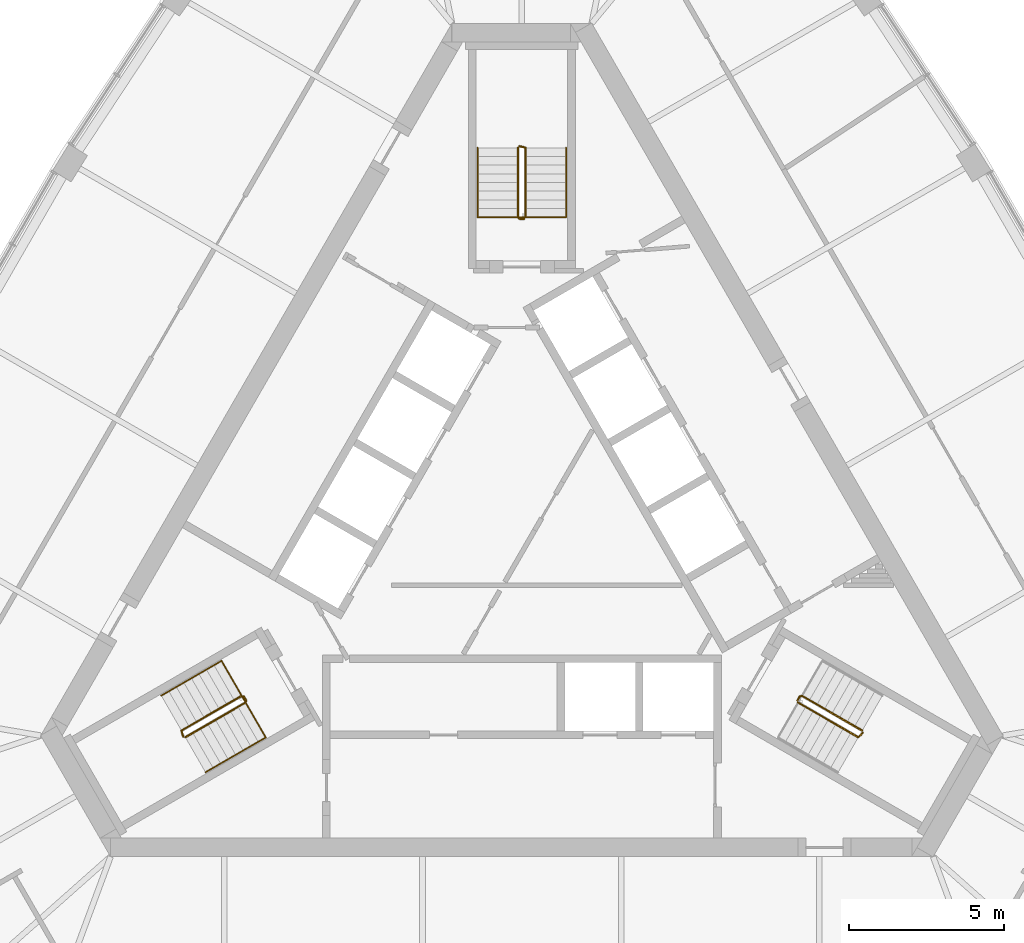
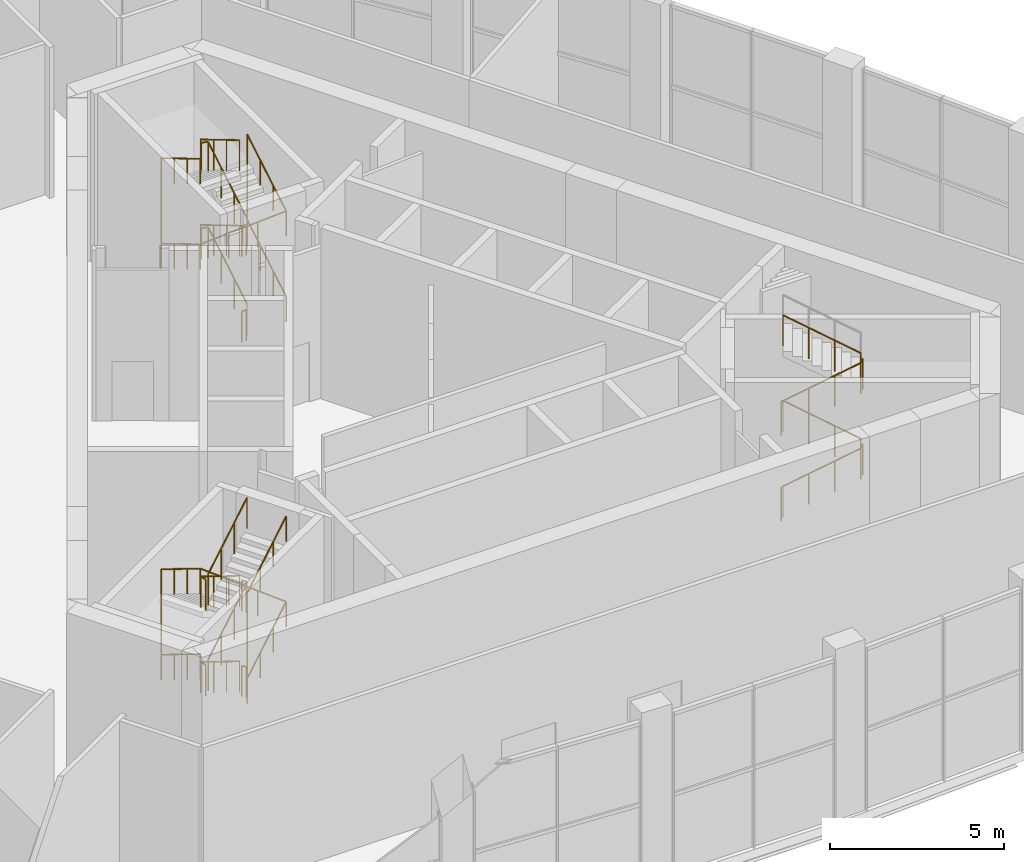
# One storey, part 14 of 15: 17 railings.
"""IFC4 building model written with IfcOpenShell, lengths in metres."""

from ifc_helpers import new_model, si_unit, direction, frame, origin, origin_2d, place, context, subcontext, project, spatial, circle, extrude, material, type_object, element, save


model = new_model("IFC4")

# Units and contexts
model_context = context("Model", 3, precision=1e-05, world=origin(), true_north=direction((0.0, 1.0)))
body_context = subcontext(model_context, "Body", "Model", "MODEL_VIEW")
ifc_project = project(units=[si_unit("LENGTHUNIT", "METRE"), si_unit("AREAUNIT", "SQUARE_METRE"), si_unit("VOLUMEUNIT", "CUBIC_METRE"), si_unit("PLANEANGLEUNIT", "RADIAN"), si_unit("MASSUNIT", "GRAM", prefix="KILO")], contexts=[model_context])

# Site, building, storey
site_placement = place(None, origin())
site = spatial("IfcSite", under=ifc_project, at=site_placement, CompositionType="ELEMENT")
building_placement = place(site_placement, origin())
building = spatial("IfcBuilding", under=site, at=building_placement, Name="Mestral Congress Tower", CompositionType="ELEMENT")
storey_placement = place(building_placement, frame((0.0, 0.0, 321.60009765625)))
storey = spatial("IfcBuildingStorey", under=building, at=storey_placement, Name="L75", CompositionType="ELEMENT", Elevation=321.60009765625)

# Railings
ifc_material_1 = material(Name="Steel balustrade", Category="steel")
railing_type_1 = type_object("IfcRailingType", Name="Stair guard 1100", PredefinedType="GUARDRAIL", material=ifc_material_1)
railing_1_placement = place(storey_placement, frame((8.90087890625, -5.283203125, 0.16650390625)))
element("IfcRailing", 1, at=railing_1_placement, inside=storey, type_object=railing_type_1, Name="L75 ST1 stair guard 1", PredefinedType="GUARDRAIL", context=body_context, shape_type="SweptSolid", body=[
    extrude(circle(Radius=0.02392578125, at=origin_2d()), frame((0.0, 0.0, 1.076171875), z_axis=(0.744138947067, -0.429663917587, 0.511513582794), x_axis=(0.500030632641, 0.866007717299, 0.0)), (0.0, 0.0, 1.0), 2.60693359375),
    extrude(circle(Radius=0.02392578125, at=origin_2d()), frame((1.93994140625, -1.1201171875, 2.40966796875), z_axis=(0.695164929852, 0.718850276695, 0.0), x_axis=(-0.718850276695, 0.695164929852, 0.0)), (0.0, 0.0, 1.0), 0.2060546875),
    extrude(circle(Radius=0.02099609375, at=origin_2d()), origin(), (0.0, 0.0, 1.0), 1.052001953125),
    extrude(circle(Radius=0.02099609375, at=origin_2d()), frame((0.646728515625, -0.373291015625, 0.444580078125)), (0.0, 0.0, 1.0), 1.052001953125),
    extrude(circle(Radius=0.02099609375, at=origin_2d()), frame((1.293212890625, -0.746826171875, 0.888916015625)), (0.0, 0.0, 1.0), 1.052001953125),
    extrude(circle(Radius=0.02099609375, at=origin_2d()), frame((1.93994140625, -1.1201171875, 1.33349609375)), (0.0, 0.0, 1.0), 1.052001953125),
    extrude(circle(Radius=0.02099609375, at=origin_2d()), frame((2.083251953125, -0.971923828125, 1.33349609375)), (0.0, 0.0, 1.0), 1.052001953125),
])
railing_2_placement = place(storey_placement, frame((10.9658203125, -6.186767578125, 1.66650390625)))
element("IfcRailing", 2, at=railing_2_placement, inside=storey, type_object=railing_type_1, Name="L75 ST1 stair guard 2", PredefinedType="GUARDRAIL", context=body_context, shape_type="SweptSolid", body=[
    extrude(circle(Radius=0.02392578125, at=origin_2d()), frame((0.0, 0.0, 1.076171875), z_axis=(-0.744138947067, 0.429663917587, 0.511513582794), x_axis=(-0.500030632641, -0.866007717299, 0.0)), (0.0, 0.0, 1.0), 2.60693359375),
    extrude(circle(Radius=0.02392578125, at=origin_2d()), frame((-1.93994140625, 1.1201171875, 2.40966796875), z_axis=(-0.965948051503, -0.258736085224, 0.0), x_axis=(0.258736085224, -0.965948051503, 0.0)), (0.0, 0.0, 1.0), 0.07080078125),
    extrude(circle(Radius=0.02392578125, at=origin_2d()), frame((-2.00830078125, 1.101806640625, 2.40966796875), z_axis=(-0.499816412211, -0.866131372301, 0.0), x_axis=(0.866131372301, -0.499816412211, 0.0)), (0.0, 0.0, 1.0), 0.14990234375),
    extrude(circle(Radius=0.02099609375, at=origin_2d()), origin(), (0.0, 0.0, 1.0), 1.052001953125),
    extrude(circle(Radius=0.02099609375, at=origin_2d()), frame((-0.646728515625, 0.373291015625, 0.444580078125)), (0.0, 0.0, 1.0), 1.052001953125),
    extrude(circle(Radius=0.02099609375, at=origin_2d()), frame((-1.293212890625, 0.746826171875, 0.888916015625)), (0.0, 0.0, 1.0), 1.052001953125),
    extrude(circle(Radius=0.02099609375, at=origin_2d()), frame((-1.93994140625, 1.1201171875, 1.33349609375)), (0.0, 0.0, 1.0), 1.052001953125),
    extrude(circle(Radius=0.02099609375, at=origin_2d()), frame((-2.00830078125, 1.101806640625, 1.33349609375)), (0.0, 0.0, 1.0), 1.052001953125),
    extrude(circle(Radius=0.02099609375, at=origin_2d()), frame((-2.083251953125, 0.971923828125, 1.33349609375)), (0.0, 0.0, 1.0), 1.052001953125),
])
railing_3_placement = place(storey_placement, frame((8.90087890625, -5.283203125, 3.16650390625)))
element("IfcRailing", 3, at=railing_3_placement, inside=storey, type_object=railing_type_1, Name="L75 ST1 stair guard 3", PredefinedType="GUARDRAIL", context=body_context, shape_type="SweptSolid", body=[
    extrude(circle(Radius=0.02392578125, at=origin_2d()), frame((0.0, 0.0, 1.076171875), z_axis=(0.744138947067, -0.429663917587, 0.511513582794), x_axis=(0.500030632641, 0.866007717299, 0.0)), (0.0, 0.0, 1.0), 2.60693359375),
    extrude(circle(Radius=0.02392578125, at=origin_2d()), frame((1.93994140625, -1.1201171875, 2.40966796875), z_axis=(0.695164929852, 0.718850276695, 0.0), x_axis=(-0.718850276695, 0.695164929852, 0.0)), (0.0, 0.0, 1.0), 0.2060546875),
    extrude(circle(Radius=0.02099609375, at=origin_2d()), origin(), (0.0, 0.0, 1.0), 1.052001953125),
    extrude(circle(Radius=0.02099609375, at=origin_2d()), frame((0.646728515625, -0.373291015625, 0.444580078125)), (0.0, 0.0, 1.0), 1.052001953125),
    extrude(circle(Radius=0.02099609375, at=origin_2d()), frame((1.293212890625, -0.746826171875, 0.888916015625)), (0.0, 0.0, 1.0), 1.052001953125),
    extrude(circle(Radius=0.02099609375, at=origin_2d()), frame((1.93994140625, -1.1201171875, 1.33349609375)), (0.0, 0.0, 1.0), 1.052001953125),
    extrude(circle(Radius=0.02099609375, at=origin_2d()), frame((2.083251953125, -0.971923828125, 1.33349609375)), (0.0, 0.0, 1.0), 1.052001953125),
])
railing_4_placement = place(storey_placement, frame((10.9658203125, -6.186767578125, 4.66650390625)))
element("IfcRailing", 4, at=railing_4_placement, inside=storey, type_object=railing_type_1, Name="L75 ST1 stair guard 4", PredefinedType="GUARDRAIL", context=body_context, shape_type="SweptSolid", body=[
    extrude(circle(Radius=0.02392578125, at=origin_2d()), frame((0.0, 0.0, 1.076171875), z_axis=(-0.744138947067, 0.429663917587, 0.511513582794), x_axis=(-0.500030632641, -0.866007717299, 0.0)), (0.0, 0.0, 1.0), 2.60693359375),
    extrude(circle(Radius=0.02099609375, at=origin_2d()), origin(), (0.0, 0.0, 1.0), 1.052001953125),
    extrude(circle(Radius=0.02099609375, at=origin_2d()), frame((-0.646728515625, 0.373291015625, 0.444580078125)), (0.0, 0.0, 1.0), 1.052001953125),
    extrude(circle(Radius=0.02099609375, at=origin_2d()), frame((-1.293212890625, 0.746826171875, 0.888916015625)), (0.0, 0.0, 1.0), 1.052001953125),
    extrude(circle(Radius=0.02099609375, at=origin_2d()), frame((-1.93994140625, 1.1201171875, 1.33349609375)), (0.0, 0.0, 1.0), 1.052001953125),
])
railing_5_placement = place(storey_placement, frame((8.882568359375, -5.21484375, 0.0)))
element("IfcRailing", 5, at=railing_5_placement, inside=storey, type_object=railing_type_1, Name="L75 ST1 stair guard 5", PredefinedType="GUARDRAIL", context=body_context, shape_type="SweptSolid", body=[
    extrude(circle(Radius=0.02392578125, at=origin_2d()), frame((0.0, 0.0, 1.076171875), z_axis=(0.499816412211, 0.866131372301, 0.0), x_axis=(-0.866131372301, 0.499816412211, 0.0)), (0.0, 0.0, 1.0), 0.14990234375),
    extrude(circle(Radius=0.02099609375, at=origin_2d()), origin(), (0.0, 0.0, 1.0), 1.052001953125),
    extrude(circle(Radius=0.02099609375, at=origin_2d()), frame((0.074951171875, 0.1298828125, 0.0)), (0.0, 0.0, 1.0), 1.052001953125),
])
railing_6_placement = place(storey_placement, frame((0.125, 10.35009765625, 0.16650390625)))
element("IfcRailing", 6, at=railing_6_placement, inside=storey, type_object=railing_type_1, Name="L75 ST2 stair guard 1", PredefinedType="GUARDRAIL", context=body_context, shape_type="SweptSolid", body=[
    extrude(circle(Radius=0.02392578125, at=origin_2d()), frame((0.0, 0.0, 1.076171875), z_axis=(0.0, 0.859264461869, 0.511531606619), x_axis=(-1.0, 0.0, 0.0)), (0.0, 0.0, 1.0), 2.60693359375),
    extrude(circle(Radius=0.02392578125, at=origin_2d()), frame((0.0, 2.239990234375, 2.40966796875), z_axis=(-0.970351222016, 0.241699205484, 0.0), x_axis=(-0.241699205484, -0.970351222016, 0.0)), (0.0, 0.0, 1.0), 0.2060546875),
    extrude(circle(Radius=0.02099609375, at=origin_2d()), origin(), (0.0, 0.0, 1.0), 1.052001953125),
    extrude(circle(Radius=0.02099609375, at=origin_2d()), frame((0.0, 0.74658203125, 0.444580078125)), (0.0, 0.0, 1.0), 1.052001953125),
    extrude(circle(Radius=0.02099609375, at=origin_2d()), frame((0.0, 1.493408203125, 0.888916015625)), (0.0, 0.0, 1.0), 1.052001953125),
    extrude(circle(Radius=0.02099609375, at=origin_2d()), frame((0.0, 2.239990234375, 1.33349609375)), (0.0, 0.0, 1.0), 1.052001953125),
    extrude(circle(Radius=0.02099609375, at=origin_2d()), frame((-0.199951171875, 2.289794921875, 1.33349609375)), (0.0, 0.0, 1.0), 1.052001953125),
])
railing_7_placement = place(storey_placement, frame((-0.125, 12.590087890625, 1.66650390625)))
element("IfcRailing", 7, at=railing_7_placement, inside=storey, type_object=railing_type_1, Name="L75 ST2 stair guard 2", PredefinedType="GUARDRAIL", context=body_context, shape_type="SweptSolid", body=[
    extrude(circle(Radius=0.02392578125, at=origin_2d()), frame((0.0, 0.0, 1.076171875), z_axis=(0.0, -0.859264461869, 0.511531606619), x_axis=(1.0, 0.0, 0.0)), (0.0, 0.0, 1.0), 2.60693359375),
    extrude(circle(Radius=0.02392578125, at=origin_2d()), frame((0.0, -2.239990234375, 2.40966796875), z_axis=(0.707106781187, -0.707106781187, 0.0), x_axis=(0.707106781187, 0.707106781187, 0.0)), (0.0, 0.0, 1.0), 0.07080078125),
    extrude(circle(Radius=0.02392578125, at=origin_2d()), frame((0.050048828125, -2.2900390625, 2.40966796875), z_axis=(1.0, 0.0, 0.0), x_axis=(0.0, 1.0, 0.0)), (0.0, 0.0, 1.0), 0.14990234375),
    extrude(circle(Radius=0.02099609375, at=origin_2d()), origin(), (0.0, 0.0, 1.0), 1.052001953125),
    extrude(circle(Radius=0.02099609375, at=origin_2d()), frame((0.0, -0.74658203125, 0.444580078125)), (0.0, 0.0, 1.0), 1.052001953125),
    extrude(circle(Radius=0.02099609375, at=origin_2d()), frame((0.0, -1.493408203125, 0.888916015625)), (0.0, 0.0, 1.0), 1.052001953125),
    extrude(circle(Radius=0.02099609375, at=origin_2d()), frame((0.0, -2.239990234375, 1.33349609375)), (0.0, 0.0, 1.0), 1.052001953125),
    extrude(circle(Radius=0.02099609375, at=origin_2d()), frame((0.050048828125, -2.2900390625, 1.33349609375)), (0.0, 0.0, 1.0), 1.052001953125),
    extrude(circle(Radius=0.02099609375, at=origin_2d()), frame((0.199951171875, -2.2900390625, 1.33349609375)), (0.0, 0.0, 1.0), 1.052001953125),
])
railing_8_placement = place(storey_placement, frame((0.125, 10.35009765625, 3.16650390625)))
element("IfcRailing", 8, at=railing_8_placement, inside=storey, type_object=railing_type_1, Name="L75 ST2 stair guard 3", PredefinedType="GUARDRAIL", context=body_context, shape_type="SweptSolid", body=[
    extrude(circle(Radius=0.02392578125, at=origin_2d()), frame((0.0, 0.0, 1.076171875), z_axis=(0.0, 0.859264461869, 0.511531606619), x_axis=(-1.0, 0.0, 0.0)), (0.0, 0.0, 1.0), 2.60693359375),
    extrude(circle(Radius=0.02392578125, at=origin_2d()), frame((0.0, 2.239990234375, 2.40966796875), z_axis=(-0.970351222016, 0.241699205484, 0.0), x_axis=(-0.241699205484, -0.970351222016, 0.0)), (0.0, 0.0, 1.0), 0.2060546875),
    extrude(circle(Radius=0.02099609375, at=origin_2d()), origin(), (0.0, 0.0, 1.0), 1.052001953125),
    extrude(circle(Radius=0.02099609375, at=origin_2d()), frame((0.0, 0.74658203125, 0.444580078125)), (0.0, 0.0, 1.0), 1.052001953125),
    extrude(circle(Radius=0.02099609375, at=origin_2d()), frame((0.0, 1.493408203125, 0.888916015625)), (0.0, 0.0, 1.0), 1.052001953125),
    extrude(circle(Radius=0.02099609375, at=origin_2d()), frame((0.0, 2.239990234375, 1.33349609375)), (0.0, 0.0, 1.0), 1.052001953125),
    extrude(circle(Radius=0.02099609375, at=origin_2d()), frame((-0.199951171875, 2.289794921875, 1.33349609375)), (0.0, 0.0, 1.0), 1.052001953125),
])
railing_9_placement = place(storey_placement, frame((-0.125, 12.590087890625, 4.66650390625)))
element("IfcRailing", 9, at=railing_9_placement, inside=storey, type_object=railing_type_1, Name="L75 ST2 stair guard 4", PredefinedType="GUARDRAIL", context=body_context, shape_type="SweptSolid", body=[
    extrude(circle(Radius=0.02392578125, at=origin_2d()), frame((0.0, 0.0, 1.076171875), z_axis=(0.0, -0.859264461869, 0.511531606619), x_axis=(1.0, 0.0, 0.0)), (0.0, 0.0, 1.0), 2.60693359375),
    extrude(circle(Radius=0.02099609375, at=origin_2d()), origin(), (0.0, 0.0, 1.0), 1.052001953125),
    extrude(circle(Radius=0.02099609375, at=origin_2d()), frame((0.0, -0.74658203125, 0.444580078125)), (0.0, 0.0, 1.0), 1.052001953125),
    extrude(circle(Radius=0.02099609375, at=origin_2d()), frame((0.0, -1.493408203125, 0.888916015625)), (0.0, 0.0, 1.0), 1.052001953125),
    extrude(circle(Radius=0.02099609375, at=origin_2d()), frame((0.0, -2.239990234375, 1.33349609375)), (0.0, 0.0, 1.0), 1.052001953125),
])
railing_10_placement = place(storey_placement, frame((0.074951171875, 10.300048828125, 0.0)))
element("IfcRailing", 10, at=railing_10_placement, inside=storey, type_object=railing_type_1, Name="L75 ST2 stair guard 5", PredefinedType="GUARDRAIL", context=body_context, shape_type="SweptSolid", body=[
    extrude(circle(Radius=0.02392578125, at=origin_2d()), frame((0.0, 0.0, 1.076171875), z_axis=(-1.0, 0.0, 0.0), x_axis=(0.0, -1.0, 0.0)), (0.0, 0.0, 1.0), 0.14990234375),
    extrude(circle(Radius=0.02099609375, at=origin_2d()), origin(), (0.0, 0.0, 1.0), 1.052001953125),
    extrude(circle(Radius=0.02099609375, at=origin_2d()), frame((-0.14990234375, 0.0, 0.0)), (0.0, 0.0, 1.0), 1.052001953125),
])
railing_11_placement = place(storey_placement, frame((-9.02587890625, -5.066650390625, 0.16650390625)))
element("IfcRailing", 11, at=railing_11_placement, inside=storey, type_object=railing_type_1, Name="L75 ST3 stair guard 1", PredefinedType="GUARDRAIL", context=body_context, shape_type="SweptSolid", body=[
    extrude(circle(Radius=0.02392578125, at=origin_2d()), frame((0.0, 0.0, 1.076171875), z_axis=(-0.744138947067, -0.429663917587, 0.511513582794), x_axis=(0.500030632641, -0.866007717299, 0.0)), (0.0, 0.0, 1.0), 2.60693359375),
    extrude(circle(Radius=0.02392578125, at=origin_2d()), frame((-1.93994140625, -1.1201171875, 2.40966796875), z_axis=(0.274721127897, -0.961523947641, 0.0), x_axis=(0.961523947641, 0.274721127897, 0.0)), (0.0, 0.0, 1.0), 0.2060546875),
    extrude(circle(Radius=0.02099609375, at=origin_2d()), origin(), (0.0, 0.0, 1.0), 1.052001953125),
    extrude(circle(Radius=0.02099609375, at=origin_2d()), frame((-0.646728515625, -0.373291015625, 0.444580078125)), (0.0, 0.0, 1.0), 1.052001953125),
    extrude(circle(Radius=0.02099609375, at=origin_2d()), frame((-1.293212890625, -0.746826171875, 0.888916015625)), (0.0, 0.0, 1.0), 1.052001953125),
    extrude(circle(Radius=0.02099609375, at=origin_2d()), frame((-1.93994140625, -1.1201171875, 1.33349609375)), (0.0, 0.0, 1.0), 1.052001953125),
    extrude(circle(Radius=0.02099609375, at=origin_2d()), frame((-1.88330078125, -1.318359375, 1.33349609375)), (0.0, 0.0, 1.0), 1.052001953125),
])
railing_12_placement = place(storey_placement, frame((-10.8408203125, -6.4033203125, 1.66650390625)))
element("IfcRailing", 12, at=railing_12_placement, inside=storey, type_object=railing_type_1, Name="L75 ST3 stair guard 2", PredefinedType="GUARDRAIL", context=body_context, shape_type="SweptSolid", body=[
    extrude(circle(Radius=0.02392578125, at=origin_2d()), frame((0.0, 0.0, 1.076171875), z_axis=(0.744138947067, 0.429663917587, 0.511513582794), x_axis=(-0.500030632641, 0.866007717299, 0.0)), (0.0, 0.0, 1.0), 2.60693359375),
    extrude(circle(Radius=0.02392578125, at=origin_2d()), frame((1.93994140625, 1.1201171875, 2.40966796875), z_axis=(0.258736085224, 0.965948051503, 0.0), x_axis=(-0.965948051503, 0.258736085224, 0.0)), (0.0, 0.0, 1.0), 0.07080078125),
    extrude(circle(Radius=0.02392578125, at=origin_2d()), frame((1.958251953125, 1.1884765625, 2.40966796875), z_axis=(-0.499816412211, 0.866131372301, 0.0), x_axis=(-0.866131372301, -0.499816412211, 0.0)), (0.0, 0.0, 1.0), 0.14990234375),
    extrude(circle(Radius=0.02099609375, at=origin_2d()), origin(), (0.0, 0.0, 1.0), 1.052001953125),
    extrude(circle(Radius=0.02099609375, at=origin_2d()), frame((0.646728515625, 0.373291015625, 0.444580078125)), (0.0, 0.0, 1.0), 1.052001953125),
    extrude(circle(Radius=0.02099609375, at=origin_2d()), frame((1.293212890625, 0.746826171875, 0.888916015625)), (0.0, 0.0, 1.0), 1.052001953125),
    extrude(circle(Radius=0.02099609375, at=origin_2d()), frame((1.93994140625, 1.1201171875, 1.33349609375)), (0.0, 0.0, 1.0), 1.052001953125),
    extrude(circle(Radius=0.02099609375, at=origin_2d()), frame((1.958251953125, 1.1884765625, 1.33349609375)), (0.0, 0.0, 1.0), 1.052001953125),
    extrude(circle(Radius=0.02099609375, at=origin_2d()), frame((1.88330078125, 1.318359375, 1.33349609375)), (0.0, 0.0, 1.0), 1.052001953125),
])
railing_13_placement = place(storey_placement, frame((-9.02587890625, -5.066650390625, 3.16650390625)))
element("IfcRailing", 13, at=railing_13_placement, inside=storey, type_object=railing_type_1, Name="L75 ST3 stair guard 3", PredefinedType="GUARDRAIL", context=body_context, shape_type="SweptSolid", body=[
    extrude(circle(Radius=0.02392578125, at=origin_2d()), frame((0.0, 0.0, 1.076171875), z_axis=(-0.744138947067, -0.429663917587, 0.511513582794), x_axis=(0.500030632641, -0.866007717299, 0.0)), (0.0, 0.0, 1.0), 2.60693359375),
    extrude(circle(Radius=0.02392578125, at=origin_2d()), frame((-1.93994140625, -1.1201171875, 2.40966796875), z_axis=(0.274721127897, -0.961523947641, 0.0), x_axis=(0.961523947641, 0.274721127897, 0.0)), (0.0, 0.0, 1.0), 0.2060546875),
    extrude(circle(Radius=0.02099609375, at=origin_2d()), origin(), (0.0, 0.0, 1.0), 1.052001953125),
    extrude(circle(Radius=0.02099609375, at=origin_2d()), frame((-0.646728515625, -0.373291015625, 0.444580078125)), (0.0, 0.0, 1.0), 1.052001953125),
    extrude(circle(Radius=0.02099609375, at=origin_2d()), frame((-1.293212890625, -0.746826171875, 0.888916015625)), (0.0, 0.0, 1.0), 1.052001953125),
    extrude(circle(Radius=0.02099609375, at=origin_2d()), frame((-1.93994140625, -1.1201171875, 1.33349609375)), (0.0, 0.0, 1.0), 1.052001953125),
    extrude(circle(Radius=0.02099609375, at=origin_2d()), frame((-1.88330078125, -1.318359375, 1.33349609375)), (0.0, 0.0, 1.0), 1.052001953125),
])
railing_14_placement = place(storey_placement, frame((-10.8408203125, -6.4033203125, 4.66650390625)))
element("IfcRailing", 14, at=railing_14_placement, inside=storey, type_object=railing_type_1, Name="L75 ST3 stair guard 4", PredefinedType="GUARDRAIL", context=body_context, shape_type="SweptSolid", body=[
    extrude(circle(Radius=0.02392578125, at=origin_2d()), frame((0.0, 0.0, 1.076171875), z_axis=(0.744138947067, 0.429663917587, 0.511513582794), x_axis=(-0.500030632641, 0.866007717299, 0.0)), (0.0, 0.0, 1.0), 2.60693359375),
    extrude(circle(Radius=0.02099609375, at=origin_2d()), origin(), (0.0, 0.0, 1.0), 1.052001953125),
    extrude(circle(Radius=0.02099609375, at=origin_2d()), frame((0.646728515625, 0.373291015625, 0.444580078125)), (0.0, 0.0, 1.0), 1.052001953125),
    extrude(circle(Radius=0.02099609375, at=origin_2d()), frame((1.293212890625, 0.746826171875, 0.888916015625)), (0.0, 0.0, 1.0), 1.052001953125),
    extrude(circle(Radius=0.02099609375, at=origin_2d()), frame((1.93994140625, 1.1201171875, 1.33349609375)), (0.0, 0.0, 1.0), 1.052001953125),
])
railing_15_placement = place(storey_placement, frame((-8.95751953125, -5.0849609375, 0.0)))
element("IfcRailing", 15, at=railing_15_placement, inside=storey, type_object=railing_type_1, Name="L75 ST3 stair guard 5", PredefinedType="GUARDRAIL", context=body_context, shape_type="SweptSolid", body=[
    extrude(circle(Radius=0.02392578125, at=origin_2d()), frame((0.0, 0.0, 1.076171875), z_axis=(0.499816412211, -0.866131372301, 0.0), x_axis=(0.866131372301, 0.499816412211, 0.0)), (0.0, 0.0, 1.0), 0.14990234375),
    extrude(circle(Radius=0.02099609375, at=origin_2d()), origin(), (0.0, 0.0, 1.0), 1.052001953125),
    extrude(circle(Radius=0.02099609375, at=origin_2d()), frame((0.074951171875, -0.1298828125, 0.0)), (0.0, 0.0, 1.0), 1.052001953125),
])
ifc_material_2 = material(Name="Steel handrail", Category="steel")
railing_type_2 = type_object("IfcRailingType", Name="Stair handrail 900", PredefinedType="HANDRAIL", material=ifc_material_2)
railing_16_placement = place(storey_placement, frame((1.425048828125, 10.35009765625, 0.16650390625)))
element("IfcRailing", 16, at=railing_16_placement, inside=storey, type_object=railing_type_2, Name="L75 ST2 stair handrail 1", PredefinedType="HANDRAIL", context=body_context, shape_type="SweptSolid", body=[
    extrude(circle(Radius=0.02392578125, at=origin_2d()), frame((0.0, 0.0, 0.8759765625), z_axis=(0.0, 0.859264461869, 0.511531606619), x_axis=(-1.0, 0.0, 0.0)), (0.0, 0.0, 1.0), 2.60693359375),
    extrude(circle(Radius=0.02392578125, at=origin_2d()), frame((0.0, 2.239990234375, 2.20947265625), z_axis=(0.0, 0.0, 1.0), x_axis=(1.0, 0.0, 0.0)), (0.0, 0.0, 1.0), 3.0),
    extrude(circle(Radius=0.02392578125, at=origin_2d()), frame((0.0, 2.239990234375, 5.20947265625), z_axis=(0.0, -0.859264461869, -0.511531606619), x_axis=(1.0, 0.0, 0.0)), (0.0, 0.0, 1.0), 2.60693359375),
    extrude(circle(Radius=0.02392578125, at=origin_2d()), frame((0.0, 0.0, 3.8759765625), z_axis=(-0.998297882867, 0.0, -0.058320983049), x_axis=(0.0, -1.0, 0.0)), (0.0, 0.0, 1.0), 2.85498046875),
    extrude(circle(Radius=0.02392578125, at=origin_2d()), frame((-2.85009765625, 0.0, 3.70947265625), z_axis=(0.0, 0.859264461869, -0.511531606619), x_axis=(-1.0, 0.0, 0.0)), (0.0, 0.0, 1.0), 2.60693359375),
    extrude(circle(Radius=0.02392578125, at=origin_2d()), frame((-2.85009765625, 2.239990234375, 2.3759765625), z_axis=(0.0, 0.0, 1.0), x_axis=(1.0, 0.0, 0.0)), (0.0, 0.0, 1.0), 3.0),
    extrude(circle(Radius=0.02392578125, at=origin_2d()), frame((-2.85009765625, 2.239990234375, 5.3759765625), z_axis=(0.0, -0.859264461869, 0.511531606619), x_axis=(1.0, 0.0, 0.0)), (0.0, 0.0, 1.0), 2.60693359375),
    extrude(circle(Radius=0.02099609375, at=origin_2d()), origin(), (0.0, 0.0, 1.0), 0.851806640625),
    extrude(circle(Radius=0.02099609375, at=origin_2d()), frame((0.0, 0.74658203125, 0.444580078125)), (0.0, 0.0, 1.0), 0.851806640625),
    extrude(circle(Radius=0.02099609375, at=origin_2d()), frame((0.0, 1.493408203125, 0.888916015625)), (0.0, 0.0, 1.0), 0.851806640625),
    extrude(circle(Radius=0.02099609375, at=origin_2d()), frame((0.0, 2.239990234375, 1.33349609375)), (0.0, 0.0, 1.0), 0.851806640625),
    extrude(circle(Radius=0.02099609375, at=origin_2d()), frame((0.0, 2.239990234375, 2.33349609375)), (0.0, 0.0, 1.0), 0.851806640625),
    extrude(circle(Radius=0.02099609375, at=origin_2d()), frame((0.0, 2.239990234375, 3.33349609375)), (0.0, 0.0, 1.0), 0.851806640625),
    extrude(circle(Radius=0.02099609375, at=origin_2d()), frame((0.0, 2.239990234375, 4.33349609375)), (0.0, 0.0, 1.0), 0.851806640625),
    extrude(circle(Radius=0.02099609375, at=origin_2d()), frame((0.0, 1.493408203125, 3.888916015625)), (0.0, 0.0, 1.0), 0.851806640625),
    extrude(circle(Radius=0.02099609375, at=origin_2d()), frame((0.0, 0.74658203125, 3.444580078125)), (0.0, 0.0, 1.0), 0.851806640625),
    extrude(circle(Radius=0.02099609375, at=origin_2d()), frame((0.0, 0.0, 3.0)), (0.0, 0.0, 1.0), 0.851806640625),
    extrude(circle(Radius=0.02099609375, at=origin_2d()), frame((-0.949951171875, 0.0, 2.944580078125)), (0.0, 0.0, 1.0), 0.851806640625),
    extrude(circle(Radius=0.02099609375, at=origin_2d()), frame((-1.900146484375, 0.0, 2.888916015625)), (0.0, 0.0, 1.0), 0.851806640625),
    extrude(circle(Radius=0.02099609375, at=origin_2d()), frame((-2.85009765625, 0.0, 2.83349609375)), (0.0, 0.0, 1.0), 0.851806640625),
    extrude(circle(Radius=0.02099609375, at=origin_2d()), frame((-2.85009765625, 0.74658203125, 2.388916015625)), (0.0, 0.0, 1.0), 0.851806640625),
    extrude(circle(Radius=0.02099609375, at=origin_2d()), frame((-2.85009765625, 1.493408203125, 1.944580078125)), (0.0, 0.0, 1.0), 0.851806640625),
    extrude(circle(Radius=0.02099609375, at=origin_2d()), frame((-2.85009765625, 2.239990234375, 1.5)), (0.0, 0.0, 1.0), 0.851806640625),
    extrude(circle(Radius=0.02099609375, at=origin_2d()), frame((-2.85009765625, 2.239990234375, 2.5)), (0.0, 0.0, 1.0), 0.851806640625),
    extrude(circle(Radius=0.02099609375, at=origin_2d()), frame((-2.85009765625, 2.239990234375, 3.5)), (0.0, 0.0, 1.0), 0.851806640625),
    extrude(circle(Radius=0.02099609375, at=origin_2d()), frame((-2.85009765625, 2.239990234375, 4.5)), (0.0, 0.0, 1.0), 0.851806640625),
    extrude(circle(Radius=0.02099609375, at=origin_2d()), frame((-2.85009765625, 1.493408203125, 4.944580078125)), (0.0, 0.0, 1.0), 0.851806640625),
    extrude(circle(Radius=0.02099609375, at=origin_2d()), frame((-2.85009765625, 0.74658203125, 5.388916015625)), (0.0, 0.0, 1.0), 0.851806640625),
    extrude(circle(Radius=0.02099609375, at=origin_2d()), frame((-2.85009765625, 0.0, 5.83349609375)), (0.0, 0.0, 1.0), 0.851806640625),
])
railing_17_placement = place(storey_placement, frame((-9.67578125, -3.94091796875, 0.16650390625)))
element("IfcRailing", 17, at=railing_17_placement, inside=storey, type_object=railing_type_2, Name="L75 ST3 stair handrail 1", PredefinedType="HANDRAIL", context=body_context, shape_type="SweptSolid", body=[
    extrude(circle(Radius=0.02392578125, at=origin_2d()), frame((0.0, 0.0, 0.8759765625), z_axis=(-0.744138947067, -0.429663917587, 0.511513582794), x_axis=(0.500030632641, -0.866007717299, 0.0)), (0.0, 0.0, 1.0), 2.60693359375),
    extrude(circle(Radius=0.02392578125, at=origin_2d()), frame((-1.93994140625, -1.1201171875, 2.20947265625), z_axis=(0.0, 0.0, 1.0), x_axis=(1.0, 0.0, 0.0)), (0.0, 0.0, 1.0), 3.0),
    extrude(circle(Radius=0.02392578125, at=origin_2d()), frame((-1.93994140625, -1.1201171875, 5.20947265625), z_axis=(0.744138947067, 0.429663917587, -0.511513582794), x_axis=(-0.500030632641, 0.866007717299, 0.0)), (0.0, 0.0, 1.0), 2.60693359375),
    extrude(circle(Radius=0.02392578125, at=origin_2d()), frame((0.0, 0.0, 3.8759765625), z_axis=(0.499084011405, -0.864588648956, -0.058323388584), x_axis=(0.866062911188, 0.499935029643, 0.0)), (0.0, 0.0, 1.0), 2.854736328125),
    extrude(circle(Radius=0.02392578125, at=origin_2d()), frame((1.4248046875, -2.46826171875, 3.70947265625), z_axis=(-0.744127094489, -0.429617493068, -0.511569816249), x_axis=(0.49999608499, -0.866027664105, 0.0)), (0.0, 0.0, 1.0), 2.606689453125),
    extrude(circle(Radius=0.02392578125, at=origin_2d()), frame((-0.514892578125, -3.588134765625, 2.3759765625), z_axis=(0.0, 0.0, 1.0), x_axis=(1.0, 0.0, 0.0)), (0.0, 0.0, 1.0), 3.0),
    extrude(circle(Radius=0.02392578125, at=origin_2d()), frame((-0.514892578125, -3.588134765625, 5.3759765625), z_axis=(0.744127094489, 0.429617493068, 0.511569816249), x_axis=(-0.49999608499, 0.866027664105, 0.0)), (0.0, 0.0, 1.0), 2.606689453125),
    extrude(circle(Radius=0.02099609375, at=origin_2d()), origin(), (0.0, 0.0, 1.0), 0.851806640625),
    extrude(circle(Radius=0.02099609375, at=origin_2d()), frame((-0.646728515625, -0.373291015625, 0.444580078125)), (0.0, 0.0, 1.0), 0.851806640625),
    extrude(circle(Radius=0.02099609375, at=origin_2d()), frame((-1.293212890625, -0.746826171875, 0.888916015625)), (0.0, 0.0, 1.0), 0.851806640625),
    extrude(circle(Radius=0.02099609375, at=origin_2d()), frame((-1.93994140625, -1.1201171875, 1.33349609375)), (0.0, 0.0, 1.0), 0.851806640625),
    extrude(circle(Radius=0.02099609375, at=origin_2d()), frame((-1.93994140625, -1.1201171875, 2.33349609375)), (0.0, 0.0, 1.0), 0.851806640625),
    extrude(circle(Radius=0.02099609375, at=origin_2d()), frame((-1.93994140625, -1.1201171875, 3.33349609375)), (0.0, 0.0, 1.0), 0.851806640625),
    extrude(circle(Radius=0.02099609375, at=origin_2d()), frame((-1.93994140625, -1.1201171875, 4.33349609375)), (0.0, 0.0, 1.0), 0.851806640625),
    extrude(circle(Radius=0.02099609375, at=origin_2d()), frame((-1.293212890625, -0.746826171875, 3.888916015625)), (0.0, 0.0, 1.0), 0.851806640625),
    extrude(circle(Radius=0.02099609375, at=origin_2d()), frame((-0.646728515625, -0.373291015625, 3.444580078125)), (0.0, 0.0, 1.0), 0.851806640625),
    extrude(circle(Radius=0.02099609375, at=origin_2d()), frame((0.0, 0.0, 3.0)), (0.0, 0.0, 1.0), 0.851806640625),
    extrude(circle(Radius=0.02099609375, at=origin_2d()), frame((0.474853515625, -0.82275390625, 2.944580078125)), (0.0, 0.0, 1.0), 0.851806640625),
    extrude(circle(Radius=0.02099609375, at=origin_2d()), frame((0.949951171875, -1.6455078125, 2.888916015625)), (0.0, 0.0, 1.0), 0.851806640625),
    extrude(circle(Radius=0.02099609375, at=origin_2d()), frame((1.4248046875, -2.46826171875, 2.83349609375)), (0.0, 0.0, 1.0), 0.851806640625),
    extrude(circle(Radius=0.02099609375, at=origin_2d()), frame((0.7783203125, -2.841552734375, 2.388916015625)), (0.0, 0.0, 1.0), 0.851806640625),
    extrude(circle(Radius=0.02099609375, at=origin_2d()), frame((0.131591796875, -3.21484375, 1.944580078125)), (0.0, 0.0, 1.0), 0.851806640625),
    extrude(circle(Radius=0.02099609375, at=origin_2d()), frame((-0.514892578125, -3.588134765625, 1.5)), (0.0, 0.0, 1.0), 0.851806640625),
    extrude(circle(Radius=0.02099609375, at=origin_2d()), frame((-0.514892578125, -3.588134765625, 2.5)), (0.0, 0.0, 1.0), 0.851806640625),
    extrude(circle(Radius=0.02099609375, at=origin_2d()), frame((-0.514892578125, -3.588134765625, 3.5)), (0.0, 0.0, 1.0), 0.851806640625),
    extrude(circle(Radius=0.02099609375, at=origin_2d()), frame((-0.514892578125, -3.588134765625, 4.5)), (0.0, 0.0, 1.0), 0.851806640625),
    extrude(circle(Radius=0.02099609375, at=origin_2d()), frame((0.131591796875, -3.21484375, 4.944580078125)), (0.0, 0.0, 1.0), 0.851806640625),
    extrude(circle(Radius=0.02099609375, at=origin_2d()), frame((0.7783203125, -2.841552734375, 5.388916015625)), (0.0, 0.0, 1.0), 0.851806640625),
    extrude(circle(Radius=0.02099609375, at=origin_2d()), frame((1.4248046875, -2.46826171875, 5.83349609375)), (0.0, 0.0, 1.0), 0.851806640625),
])

save(model, "model.ifc")
